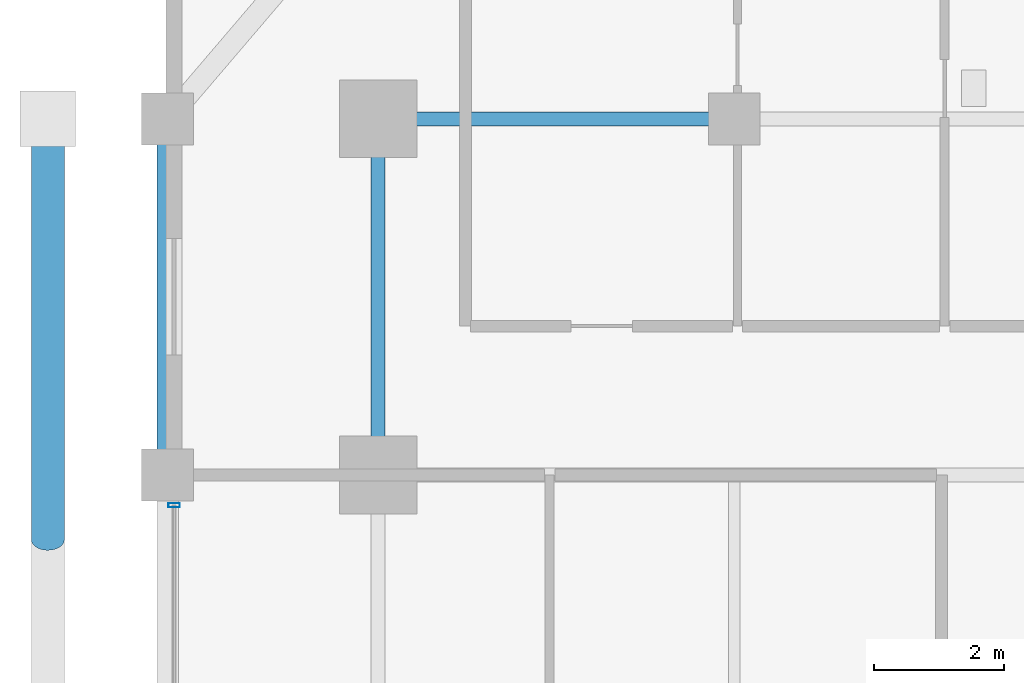
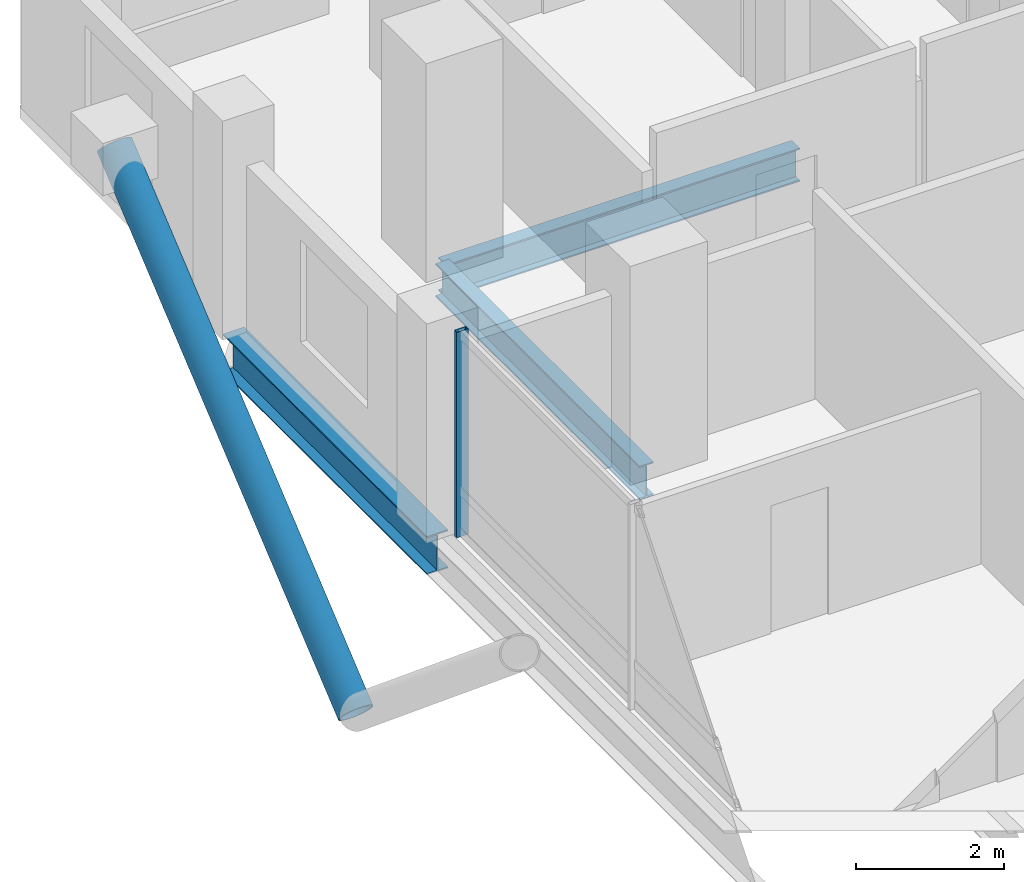
# One storey, part 11 of 23: 3 beams, 2 members, 1 element without a shape of its own.
"""IFC4 building model written with IfcOpenShell, lengths in metres."""

from ifc_helpers import new_model, si_unit, direction, frame, origin, origin_2d, place, context, subcontext, project, spatial, hollow_rectangle, hollow_circle, i_section, extrude, material, layer, layer_set, material_profile, profile_set, type_object, element, aggregate, save


model = new_model("IFC4")

# Units and contexts
model_context = context("Model", 3, precision=1e-05, world=origin(), true_north=direction((0.0, 1.0)))
body_context = subcontext(model_context, "Body", "Model", "MODEL_VIEW")
ifc_project = project(units=[si_unit("LENGTHUNIT", "METRE"), si_unit("AREAUNIT", "SQUARE_METRE"), si_unit("VOLUMEUNIT", "CUBIC_METRE"), si_unit("PLANEANGLEUNIT", "RADIAN"), si_unit("MASSUNIT", "GRAM", prefix="KILO")], contexts=[model_context])

# Site, building, storey
site_placement = place(None, origin())
site = spatial("IfcSite", under=ifc_project, at=site_placement, CompositionType="ELEMENT")
building_placement = place(site_placement, origin())
building = spatial("IfcBuilding", under=site, at=building_placement, Name="Barlavira Tower and Art Museum", CompositionType="ELEMENT")
storey_placement = place(building_placement, frame((0.0, 0.0, 140.39990234375)))
storey = spatial("IfcBuildingStorey", under=building, at=storey_placement, Name="L35", CompositionType="ELEMENT", Elevation=140.39990234375)

# Curtain wall, member
ifc_material_1 = material(Name="Low-iron coastal laminated glass", Category="glass")
ifc_layer = layer(ifc_material_1, 0.18994140625, Name="Low-iron coastal laminated glass")
ifc_layer_set = layer_set([ifc_layer], Name="Low-iron coastal laminated glass")
curtain_wall_type = type_object("IfcCurtainWallType", Name="Pale-Metal Unitised Curtain Wall Zone 2", PredefinedType="NOTDEFINED", material=ifc_layer_set)
curtain_wall_placement = place(storey_placement, origin())
curtain_wall = element("IfcCurtainWall", 1, at=curtain_wall_placement, inside=storey, type_object=curtain_wall_type, Name="L35 Curtain Wall CW2-L35-W-B3", PredefinedType="NOTDEFINED")
ifc_material_2 = material(Name="Pale anodised aluminium", Category="aluminium")
ifc_material_profile_1 = material_profile(ifc_material_2, hollow_rectangle(XDim=0.06494140625, YDim=0.179931640625, WallThickness=0.00390625, at=origin_2d()), Name="ALU-MULL 65x180x4")
ifc_profile_set_1 = profile_set([ifc_material_profile_1], Name="Pale anodised aluminium")
member_type_1 = type_object("IfcMemberType", Name="Curtain Wall Pale-Metal Mullion 65x180", PredefinedType="MULLION", material=ifc_profile_set_1)
member_1_placement = place(storey_placement, frame((-20.14990234375, 7.034912109375, 0.0), z_axis=(0.0, 0.0, 1.0), x_axis=(0.0, -1.0, 0.0)))
member_1 = element("IfcMember", 2, at=member_1_placement, type_object=member_type_1, Name="CW2-L35-W-B3 Mullion 0", PredefinedType="MULLION", context=body_context, shape_type="SweptSolid", body=[
    extrude(hollow_rectangle(XDim=0.06494140625, YDim=0.179931640625, WallThickness=0.00390625, at=origin_2d()), origin(), (0.0, 0.0, 1.0), 3.380126953125),
])
aggregate(curtain_wall, [member_1])

# Member
ifc_material_3 = material(Name="Steel S355", Category="steel")
ifc_material_profile_2 = material_profile(ifc_material_3, hollow_circle(Radius=0.25390625, WallThickness=0.022216796875, at=origin_2d()), Name="CHS 508.0x22.2")
ifc_profile_set_2 = profile_set([ifc_material_profile_2], Name="Steel S355")
member_type_2 = type_object("IfcMemberType", Name="Pale-Metal Exoskeleton Diagrid Tube CHS 508x22 Steel S355", PredefinedType="BRACE", material=ifc_profile_set_2)
member_2_placement = place(storey_placement, frame((-22.10009765625, 6.5, -1.919921875), z_axis=(0.0, 0.769196053329, 0.639012857104), x_axis=(-1.0, 0.0, 0.0)))
element("IfcMember", 3, at=member_2_placement, inside=storey, type_object=member_type_2, Name="L35 Exoskeleton Diagrid Tube W", PredefinedType="BRACE", context=body_context, shape_type="SweptSolid", body=[
    extrude(hollow_circle(Radius=0.25390625, WallThickness=0.022216796875, at=origin_2d()), origin(), (0.0, 0.0, 1.0), 8.450439453125),
])

# Beams
ifc_material_profile_3 = material_profile(ifc_material_3, i_section(OverallWidth=0.327880859375, OverallDepth=0.62890625, WebThickness=0.013916015625, FlangeThickness=0.021484375, at=origin_2d()), Name="W610x174.0")
ifc_profile_set_3 = profile_set([ifc_material_profile_3], Name="Steel S355")
beam_type_1 = type_object("IfcBeamType", Name="Perimeter Spandrel Edge Beam W610x174 Steel S355", PredefinedType="SPANDREL", material=ifc_profile_set_3)
beam_placement = place(storey_placement, frame((-20.25, 7.5, -0.534423828125), z_axis=(0.0, 1.0, 0.0), x_axis=(-1.0, 0.0, 0.0)))
element("IfcBeam", 4, at=beam_placement, inside=storey, type_object=beam_type_1, Name="L35 Spandrel 13", PredefinedType="SPANDREL", context=body_context, shape_type="SweptSolid", body=[
    extrude(i_section(OverallWidth=0.327880859375, OverallDepth=0.62890625, WebThickness=0.013916015625, FlangeThickness=0.021484375, at=origin_2d()), origin(), (0.0, 0.0, 1.0), 5.5),
])
ifc_material_profile_4 = material_profile(ifc_material_3, i_section(OverallWidth=0.214111328125, OverallDepth=0.549072265625, WebThickness=0.0146484375, FlangeThickness=0.023681640625, at=origin_2d()), Name="W530x138.0")
ifc_profile_set_4 = profile_set([ifc_material_profile_4], Name="Steel S355")
beam_type_2 = type_object("IfcBeamType", Name="Zone 1 Primary Floor Girder W530x138 Steel S355", PredefinedType="BEAM", material=ifc_profile_set_4)
for number, where, z_axis, x_axis, name in (
    (5, (-17.0, 7.5, -0.494384765625), (0.0, 1.0, 0.0), (-1.0, 0.0, 0.0), "L35 Girder M-W3"),
    (6, (-17.0, 13.0, -0.494384765625), (1.0, 0.0, 0.0), (0.0, 1.0, 0.0), "L35 Girder I-N1"),
):
    element("IfcBeam", number, at=place(storey_placement, frame(where, z_axis=z_axis, x_axis=x_axis)), inside=storey, type_object=beam_type_2, Name=name, PredefinedType="BEAM", context=body_context, shape_type="SweptSolid", body=[
        extrude(i_section(OverallWidth=0.214111328125, OverallDepth=0.549072265625, WebThickness=0.0146484375, FlangeThickness=0.023681640625, at=origin_2d()), origin(), (0.0, 0.0, 1.0), 5.5),
    ])

save(model, "model.ifc")
